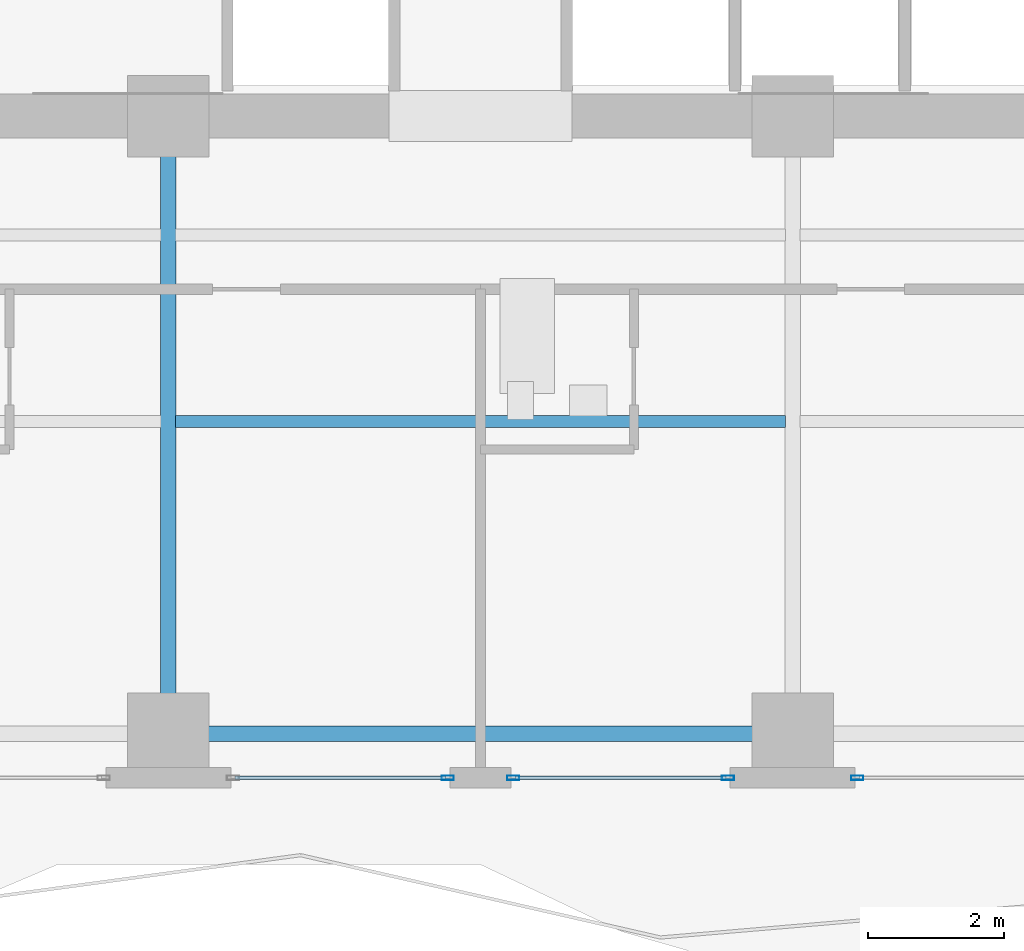
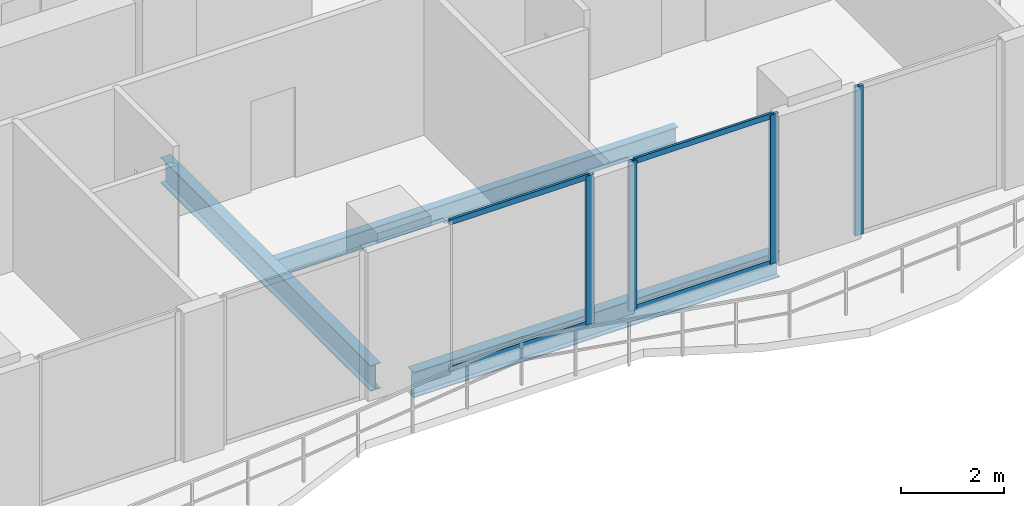
# One storey, part 5 of 33: 8 members, 3 beams, 3 elements without a shape of their own.
"""IFC4 building model written with IfcOpenShell, lengths in metres."""

from ifc_helpers import new_model, si_unit, direction, frame, origin, origin_2d, place, context, subcontext, project, spatial, hollow_rectangle, i_section, extrude, material, layer, layer_set, material_profile, profile_set, type_object, element, aggregate, save


model = new_model("IFC4")

# Units and contexts
model_context = context("Model", 3, precision=1e-05, world=origin(), true_north=direction((0.0, 1.0)))
body_context = subcontext(model_context, "Body", "Model", "MODEL_VIEW")
ifc_project = project(units=[si_unit("LENGTHUNIT", "METRE"), si_unit("AREAUNIT", "SQUARE_METRE"), si_unit("VOLUMEUNIT", "CUBIC_METRE"), si_unit("PLANEANGLEUNIT", "RADIAN"), si_unit("MASSUNIT", "GRAM", prefix="KILO")], contexts=[model_context])

# Site, building, storey
site_placement = place(None, origin())
site = spatial("IfcSite", under=ifc_project, at=site_placement, CompositionType="ELEMENT")
building_placement = place(site_placement, origin())
building = spatial("IfcBuilding", under=site, at=building_placement, Name="Zuhayl Quay Hotel", CompositionType="ELEMENT")
storey_placement = place(building_placement, frame((0.0, 0.0, 222.39990234375)))
storey = spatial("IfcBuildingStorey", under=building, at=storey_placement, Name="L56", CompositionType="ELEMENT", Elevation=222.39990234375)

# Beams
ifc_material_1 = material(Name="Steel ASTM A992 Grade 50", Category="steel")
ifc_material_profile_1 = material_profile(ifc_material_1, i_section(OverallWidth=0.22802734375, OverallDepth=0.60693359375, WebThickness=0.01123046875, FlangeThickness=0.017333984375, at=origin_2d()), Name="W24X76")
ifc_profile_set_1 = profile_set([ifc_material_profile_1], Name="Steel ASTM A992 Grade 50")
beam_type_1 = type_object("IfcBeamType", Name="BM_B3_W24X76", PredefinedType="BEAM", material=ifc_profile_set_1)
beam_1_placement = place(storey_placement, frame((-4.10009765625, -6.949951171875, -0.5234375), z_axis=(1.0, 0.0, 0.0), x_axis=(0.0, 1.0, 0.0)))
element("IfcBeam", 1, at=beam_1_placement, inside=storey, type_object=beam_type_1, Name="L56 Floor Beam RG_L56_02", PredefinedType="BEAM", context=body_context, shape_type="SweptSolid", body=[
    extrude(i_section(OverallWidth=0.22802734375, OverallDepth=0.60693359375, WebThickness=0.01123046875, FlangeThickness=0.017333984375, at=origin_2d()), origin(), (0.0, 0.0, 1.0), 8.2001953125),
])
beam_2_placement = place(storey_placement, frame((-4.60009765625, -6.449951171875, -0.5234375), z_axis=(0.0, 1.0, 0.0), x_axis=(-1.0, 0.0, 0.0)))
element("IfcBeam", 2, at=beam_2_placement, inside=storey, type_object=beam_type_1, Name="L56 Floor Beam FG_S_L56_2", PredefinedType="BEAM", context=body_context, shape_type="SweptSolid", body=[
    extrude(i_section(OverallWidth=0.22802734375, OverallDepth=0.60693359375, WebThickness=0.01123046875, FlangeThickness=0.017333984375, at=origin_2d()), origin(), (0.0, 0.0, 1.0), 8.14990234375),
])
ifc_material_profile_2 = material_profile(ifc_material_1, i_section(OverallWidth=0.177978515625, OverallDepth=0.406005859375, WebThickness=0.0078125, FlangeThickness=0.0126953125, at=origin_2d()), Name="W16X40")
ifc_profile_set_2 = profile_set([ifc_material_profile_2], Name="Steel ASTM A992 Grade 50")
beam_type_2 = type_object("IfcBeamType", Name="BM_J2B_W16X40", PredefinedType="JOIST", material=ifc_profile_set_2)
beam_3_placement = place(storey_placement, frame((-4.493896484375, -2.35009765625, -0.4228515625), z_axis=(1.0, 0.0, 0.0), x_axis=(0.0, 1.0, 0.0)))
element("IfcBeam", 3, at=beam_3_placement, inside=storey, type_object=beam_type_2, Name="L56 Floor Beam FJ_L56_7_2", PredefinedType="JOIST", context=body_context, shape_type="SweptSolid", body=[
    extrude(i_section(OverallWidth=0.177978515625, OverallDepth=0.406005859375, WebThickness=0.0078125, FlangeThickness=0.0126953125, at=origin_2d()), origin(), (0.0, 0.0, 1.0), 8.98779296875),
])

# Curtain wall, member
ifc_material_2 = material(Name="Anodised Aluminium 6063-T6", Category="aluminium")
ifc_layer = layer(ifc_material_2, 0.175048828125, Name="Anodised Aluminium 6063-T6", Category="aluminium")
ifc_layer_set = layer_set([ifc_layer], Name="Anodised Aluminium 6063-T6")
curtain_wall_type = type_object("IfcCurtainWallType", Name="CW_SYS_Z3", PredefinedType="USERDEFINED", material=ifc_layer_set)
curtain_wall_1_placement = place(storey_placement, origin())
curtain_wall_1 = element("IfcCurtainWall", 4, at=curtain_wall_1_placement, inside=storey, type_object=curtain_wall_type, Name="L56 Curtain Wall ENV_L56_S_CW3", ObjectType="UNITISED CURTAIN WALL", PredefinedType="USERDEFINED")
ifc_material_3 = material(Name="Black-anodised aluminium 6063-T6", Category="aluminium")
ifc_material_profile_3 = material_profile(ifc_material_3, hollow_rectangle(XDim=0.06494140625, YDim=0.179931640625, WallThickness=0.00341796875, at=origin_2d()), Name="ALU180X65")
ifc_profile_set_3 = profile_set([ifc_material_profile_3], Name="Black-anodised aluminium 6063-T6")
member_type_1 = type_object("IfcMemberType", Name="MB_CW_MUL_180", PredefinedType="MULLION", material=ifc_profile_set_3)
member_1_placement = place(storey_placement, frame((5.552490234375, -7.60009765625, 0.0), z_axis=(0.0, 0.0, 1.0), x_axis=(0.0, -1.0, 0.0)))
member_1 = element("IfcMember", 5, at=member_1_placement, type_object=member_type_1, Name="CW-Z3 mullion 2", PredefinedType="MULLION", context=body_context, shape_type="SweptSolid", body=[
    extrude(hollow_rectangle(XDim=0.06494140625, YDim=0.179931640625, WallThickness=0.00341796875, at=origin_2d()), origin(), (0.0, 0.0, 1.0), 3.530029296875),
])
aggregate(curtain_wall_1, [member_1])

# Curtain wall, members
curtain_wall_2_placement = place(storey_placement, origin())
curtain_wall_2 = element("IfcCurtainWall", 6, at=curtain_wall_2_placement, inside=storey, type_object=curtain_wall_type, Name="L56 Curtain Wall ENV_L56_S_CW4", ObjectType="UNITISED CURTAIN WALL", PredefinedType="USERDEFINED")
member_2_placement = place(storey_placement, frame((3.6474609375, -7.60009765625, 0.0), z_axis=(0.0, 0.0, 1.0), x_axis=(0.0, -1.0, 0.0)))
member_2 = element("IfcMember", 7, at=member_2_placement, type_object=member_type_1, Name="CW-Z3 mullion 1", PredefinedType="MULLION", context=body_context, shape_type="SweptSolid", body=[
    extrude(hollow_rectangle(XDim=0.06494140625, YDim=0.179931640625, WallThickness=0.00341796875, at=origin_2d()), origin(), (0.0, 0.0, 1.0), 3.530029296875),
])
member_3_placement = place(storey_placement, frame((0.482421875, -7.60009765625, 0.0), z_axis=(0.0, 0.0, 1.0), x_axis=(0.0, -1.0, 0.0)))
member_3 = element("IfcMember", 8, at=member_3_placement, type_object=member_type_1, Name="CW-Z3 mullion 2", PredefinedType="MULLION", context=body_context, shape_type="SweptSolid", body=[
    extrude(hollow_rectangle(XDim=0.06494140625, YDim=0.179931640625, WallThickness=0.00341796875, at=origin_2d()), origin(), (0.0, 0.0, 1.0), 3.530029296875),
])

# Curtain wall, member
curtain_wall_3_placement = place(storey_placement, origin())
curtain_wall_3 = element("IfcCurtainWall", 9, at=curtain_wall_3_placement, inside=storey, type_object=curtain_wall_type, Name="L56 Curtain Wall ENV_L56_S_CW5", ObjectType="UNITISED CURTAIN WALL", PredefinedType="USERDEFINED")
member_4_placement = place(storey_placement, frame((-0.482421875, -7.60009765625, 0.0), z_axis=(0.0, 0.0, 1.0), x_axis=(0.0, -1.0, 0.0)))
member_4 = element("IfcMember", 10, at=member_4_placement, type_object=member_type_1, Name="CW-Z3 mullion 1", PredefinedType="MULLION", context=body_context, shape_type="SweptSolid", body=[
    extrude(hollow_rectangle(XDim=0.06494140625, YDim=0.179931640625, WallThickness=0.00341796875, at=origin_2d()), origin(), (0.0, 0.0, 1.0), 3.530029296875),
])

# Member
ifc_material_profile_4 = material_profile(ifc_material_3, hollow_rectangle(XDim=0.054931640625, YDim=0.1298828125, WallThickness=0.0029296875, at=origin_2d()), Name="ALU130X55")
ifc_profile_set_4 = profile_set([ifc_material_profile_4], Name="Black-anodised aluminium 6063-T6")
member_type_2 = type_object("IfcMemberType", Name="MB_CW_TRN_130", PredefinedType="USERDEFINED", material=ifc_profile_set_4)
member_5_placement = place(storey_placement, frame((3.614990234375, -7.60009765625, 0.027587890625), z_axis=(-1.0, 0.0, 0.0), x_axis=(0.0, -1.0, 0.0)))
member_5 = element("IfcMember", 11, at=member_5_placement, type_object=member_type_2, Name="CW-Z3 transom 1.1", ObjectType="TRANSOM", PredefinedType="USERDEFINED", context=body_context, shape_type="SweptSolid", body=[
    extrude(hollow_rectangle(XDim=0.054931640625, YDim=0.1298828125, WallThickness=0.0029296875, at=origin_2d()), origin(), (0.0, 0.0, 1.0), 3.10009765625),
])

member_6_placement = place(storey_placement, frame((3.614990234375, -7.60009765625, 3.502685546875), z_axis=(-1.0, 0.0, 0.0), x_axis=(0.0, -1.0, 0.0)))
member_6 = element("IfcMember", 12, at=member_6_placement, type_object=member_type_2, Name="CW-Z3 transom 1.2", ObjectType="TRANSOM", PredefinedType="USERDEFINED", context=body_context, shape_type="SweptSolid", body=[
    extrude(hollow_rectangle(XDim=0.054931640625, YDim=0.1298828125, WallThickness=0.0029296875, at=origin_2d()), origin(), (0.0, 0.0, 1.0), 3.10009765625),
])

aggregate(curtain_wall_2, [member_2, member_3, member_5, member_6])

member_7_placement = place(storey_placement, frame((-0.514892578125, -7.60009765625, 0.027587890625), z_axis=(-1.0, 0.0, 0.0), x_axis=(0.0, -1.0, 0.0)))
member_7 = element("IfcMember", 13, at=member_7_placement, type_object=member_type_2, Name="CW-Z3 transom 1.1", ObjectType="TRANSOM", PredefinedType="USERDEFINED", context=body_context, shape_type="SweptSolid", body=[
    extrude(hollow_rectangle(XDim=0.054931640625, YDim=0.1298828125, WallThickness=0.0029296875, at=origin_2d()), origin(), (0.0, 0.0, 1.0), 3.10009765625),
])

member_8_placement = place(storey_placement, frame((-0.514892578125, -7.60009765625, 3.502685546875), z_axis=(-1.0, 0.0, 0.0), x_axis=(0.0, -1.0, 0.0)))
member_8 = element("IfcMember", 14, at=member_8_placement, type_object=member_type_2, Name="CW-Z3 transom 1.2", ObjectType="TRANSOM", PredefinedType="USERDEFINED", context=body_context, shape_type="SweptSolid", body=[
    extrude(hollow_rectangle(XDim=0.054931640625, YDim=0.1298828125, WallThickness=0.0029296875, at=origin_2d()), origin(), (0.0, 0.0, 1.0), 3.10009765625),
])

aggregate(curtain_wall_3, [member_4, member_7, member_8])

save(model, "model.ifc")
